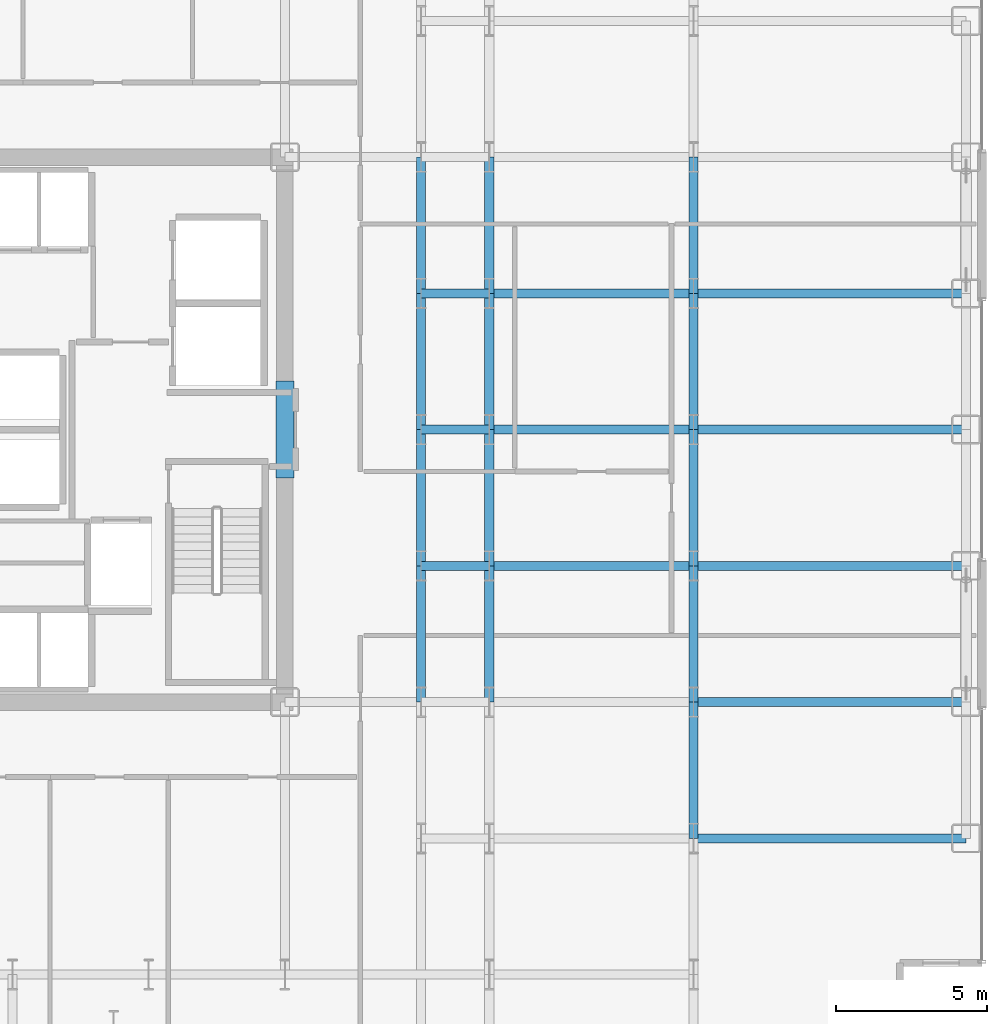
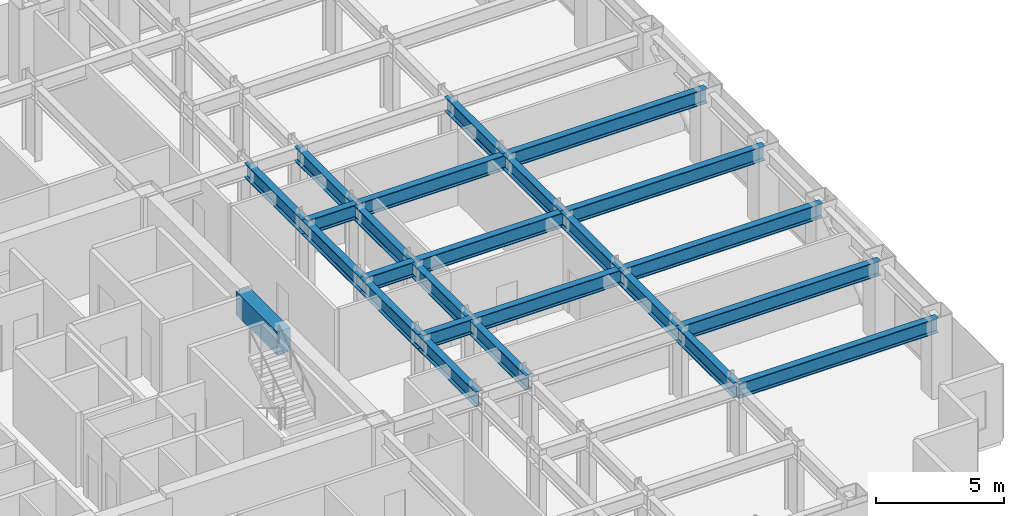
# One storey, part 10 of 29: 25 beams.
"""IFC4 building model written with IfcOpenShell, lengths in metres."""

import ifcopenshell
import ifcopenshell.guid

model = None  # the IFC model being written
_history = None  # IfcOwnerHistory: only IFC2X3 demands one
_inside = {}  # id of a spatial element -> (the spatial element, [elements in it])
_under = {}  # id of a project, library or spatial element -> (it, [spatial elements below it])
_declared = {}  # id of a project -> (the project, [libraries it declares])
_typed = {}  # id of a type object -> (the type object, [elements of that type])
_made_of = {}  # id of a material, layer set ... -> (it, [elements and type objects made of it])


def new_model(schema):
    """Start an empty IFC model of exactly this schema.

    Asked for "IFC4X3", IfcOpenShell would pick the latest addendum, in which some entities
    have other attributes; the version numbers below select the first issue.
    IFC2X3 requires an IfcOwnerHistory on every rooted entity: one is made here for all.
    """
    global model, _history
    if schema == "IFC4X3":
        model = ifcopenshell.file(schema_version=(4, 3, 0, 0))
    else:
        model = ifcopenshell.file(schema=schema)
    _inside.clear()
    _under.clear()
    _declared.clear()
    _typed.clear()
    _made_of.clear()
    _history = None
    if model.schema == "IFC2X3":
        org = make("IfcOrganization", Name="unknown")
        user = make(
            "IfcPersonAndOrganization",
            ThePerson=make("IfcPerson", FamilyName="unknown"),
            TheOrganization=org,
        )
        app = make(
            "IfcApplication",
            ApplicationDeveloper=org,
            Version="unknown",
            ApplicationFullName="unknown",
            ApplicationIdentifier="unknown",
        )
        _history = make(
            "IfcOwnerHistory",
            OwningUser=user,
            OwningApplication=app,
            ChangeAction="ADDED",
            CreationDate=0,
        )
    return model


def make(cls, **values):
    """One entity of the class cls with the attributes given. An attribute that is None is left unset."""
    return model.create_entity(
        cls, **{name: value for name, value in values.items() if value is not None}
    )


def rooted(cls, **values):
    """An entity with a GlobalId (a new one), such as an element, a storey or a relation."""
    return make(cls, GlobalId=ifcopenshell.guid.new(), OwnerHistory=_history, **values)


def si_unit(unit_type, name, prefix=None):
    """IfcSIUnit, for example si_unit("LENGTHUNIT", "METRE", prefix="MILLI")."""
    return make("IfcSIUnit", UnitType=unit_type, Prefix=prefix, Name=name)


def assignment(units):
    """IfcUnitAssignment: the units of a project."""
    return None if units is None else make("IfcUnitAssignment", Units=units)


def point(xyz):
    """IfcCartesianPoint."""
    return None if xyz is None else make("IfcCartesianPoint", Coordinates=xyz)


def direction(xyz):
    """IfcDirection."""
    return None if xyz is None else make("IfcDirection", DirectionRatios=xyz)


def frame(location, z_axis=None, x_axis=None):
    """IfcAxis2Placement3D, a coordinate frame: its origin and axes. An axis left out is left unset."""
    return make(
        "IfcAxis2Placement3D",
        Location=point(location),
        Axis=direction(z_axis),
        RefDirection=direction(x_axis),
    )


def frame_2d(location, x_axis=None):
    """IfcAxis2Placement2D, a coordinate frame in the plane: its origin and x axis."""
    return make(
        "IfcAxis2Placement2D", Location=point(location), RefDirection=direction(x_axis)
    )


def origin():
    """The frame at (0, 0, 0) with its axes left unset."""
    return frame((0.0, 0.0, 0.0))


def origin_2d():
    """The frame at (0, 0) in the plane with its x axis left unset."""
    return frame_2d((0.0, 0.0))


def place(relative_to, where):
    """IfcLocalPlacement: puts the frame where relative to a parent placement (None: the world)."""
    return make(
        "IfcLocalPlacement", PlacementRelTo=relative_to, RelativePlacement=where
    )


def context(
    kind, dimensions, precision=None, world=None, true_north=None, identifier=None
):
    """IfcGeometricRepresentationContext, for example the 3D "Model" context."""
    return make(
        "IfcGeometricRepresentationContext",
        ContextIdentifier=identifier,
        ContextType=kind,
        CoordinateSpaceDimension=dimensions,
        Precision=precision,
        WorldCoordinateSystem=world,
        TrueNorth=true_north,
    )


def subcontext(parent, identifier, kind, view, scale=None):
    """IfcGeometricRepresentationSubContext, for example "Body" below "Model"."""
    return make(
        "IfcGeometricRepresentationSubContext",
        ContextIdentifier=identifier,
        ContextType=kind,
        ParentContext=parent,
        TargetScale=scale,
        TargetView=view,
    )


def project(units=None, contexts=None):
    """IfcProject with its units and contexts."""
    return rooted(
        "IfcProject",
        Name="project",
        RepresentationContexts=contexts,
        UnitsInContext=assignment(units),
    )


def spatial(cls, under=None, at=None, **own):
    """A site, building, storey or space (cls), placed at a placement, below another one or the project."""
    s = rooted(cls, ObjectPlacement=at, **own)
    if under is not None:
        _under.setdefault(under.id(), (under, []))[1].append(s)
    return s


def profile(cls, at=None, kind="AREA", **sizes):
    """A parametric profile (cls). Its sizes go by their IFC names, for example OverallWidth=200.0."""
    return make(cls, ProfileType=kind, Position=at, **sizes)


def rectangle(**sizes):
    """IfcRectangleProfileDef."""
    return profile("IfcRectangleProfileDef", **sizes)


def i_section(**sizes):
    """IfcIShapeProfileDef."""
    return profile("IfcIShapeProfileDef", **sizes)


def extrude(swept, where, along, depth):
    """IfcExtrudedAreaSolid: the profile swept, set in the frame where, extruded along a direction by depth."""
    return make(
        "IfcExtrudedAreaSolid",
        SweptArea=swept,
        Position=where,
        ExtrudedDirection=direction(along),
        Depth=depth,
    )


def shape(context_of_items, identifier, shape_type, items):
    """IfcShapeRepresentation: the items that make up one representation, for example the "Body"."""
    return make(
        "IfcShapeRepresentation",
        ContextOfItems=context_of_items,
        RepresentationIdentifier=identifier,
        RepresentationType=shape_type,
        Items=items,
    )


def source(mapping_origin, context_of_items, identifier, shape_type, items):
    """IfcRepresentationMap: a shape defined once, which mapped items show again and again."""
    return make(
        "IfcRepresentationMap",
        MappingOrigin=mapping_origin,
        MappedRepresentation=shape(context_of_items, identifier, shape_type, items),
    )


def transform(
    local_origin,
    x_axis=None,
    y_axis=None,
    z_axis=None,
    scale=None,
    scale2=None,
    scale3=None,
    uniform=True,
):
    """IfcCartesianTransformationOperator3D, or its non-uniform kind. x_axis, y_axis, z_axis: its Axis1, 2, 3."""
    if uniform:
        return make(
            "IfcCartesianTransformationOperator3D",
            Axis1=direction(x_axis),
            Axis2=direction(y_axis),
            LocalOrigin=point(local_origin),
            Scale=scale,
            Axis3=direction(z_axis),
        )
    return make(
        "IfcCartesianTransformationOperator3DnonUniform",
        Axis1=direction(x_axis),
        Axis2=direction(y_axis),
        LocalOrigin=point(local_origin),
        Scale=scale,
        Axis3=direction(z_axis),
        Scale2=scale2,
        Scale3=scale3,
    )


def mapped(mapping_source, mapping_target):
    """IfcMappedItem: shows the shape of a source again, moved by a transform."""
    return make(
        "IfcMappedItem", MappingSource=mapping_source, MappingTarget=mapping_target
    )


def material(Name=None, Category=None):
    """IfcMaterial."""
    return make("IfcMaterial", Name=Name, Category=Category)


def material_profile(
    of_material, cross_section, Name=None, Category=None, Priority=None
):
    """IfcMaterialProfile: a cross section and its material."""
    return make(
        "IfcMaterialProfile",
        Name=Name,
        Material=of_material,
        Profile=cross_section,
        Priority=Priority,
        Category=Category,
    )


def profile_set(profiles, Name=None, composite=None):
    """IfcMaterialProfileSet."""
    return make(
        "IfcMaterialProfileSet",
        Name=Name,
        MaterialProfiles=profiles,
        CompositeProfile=composite,
    )


def made_of(thing, what):
    """Note that an element or type object is made of a material, layer set ...; save() writes the relation."""
    if what is not None:
        _made_of.setdefault(what.id(), (what, []))[1].append(thing)
    return thing


def type_object(cls, material=None, **own):
    """A type object (cls), such as IfcWallType, which elements share."""
    return made_of(rooted(cls, **own), material)


def element(
    cls,
    number,
    at=None,
    inside=None,
    cuts=None,
    type_object=None,
    material=None,
    context=None,
    identifier="Body",
    shape_type=None,
    held_by="IfcProductDefinitionShape",
    body=None,
    shapes=None,
    **own,
):
    """One element of the class cls, such as IfcWall. Its Tag is "e" and its number.

    at: its placement. inside: the storey or other place that contains it. cuts: it is an
    opening in that element (IfcRelVoidsElement). A single representation is given by context,
    identifier, shape_type and body (its items); several are given by shapes. held_by: the class
    of the entity that holds the representations. save() writes the other relations.
    """
    e = rooted(cls, Tag="e%d" % number, ObjectPlacement=at, **own)
    if body is not None:
        shapes = [shape(context, identifier, shape_type, body)]
    if shapes is not None:
        e.Representation = make(held_by, Representations=shapes)
    if inside is not None:
        _inside.setdefault(inside.id(), (inside, []))[1].append(e)
    if cuts is not None:
        rooted(
            "IfcRelVoidsElement", RelatingBuildingElement=cuts, RelatedOpeningElement=e
        )
    if type_object is not None:
        _typed.setdefault(type_object.id(), (type_object, []))[1].append(e)
    return made_of(e, material)


def aggregate(whole, parts):
    """IfcRelAggregates: a whole, such as a stair, and the parts it consists of."""
    return rooted("IfcRelAggregates", RelatingObject=whole, RelatedObjects=parts)


def save(model, path):
    """Write the relations noted so far, then the file.

    IfcRelAggregates (storeys below a building ...), IfcRelContainedInSpatialStructure (elements
    in a storey), IfcRelDefinesByType, IfcRelAssociatesMaterial and IfcRelDeclares: one each for
    every whole, place, type object, material and project.
    """
    for whole, parts in _under.values():
        aggregate(whole, parts)
    for where, things in _inside.values():
        rooted(
            "IfcRelContainedInSpatialStructure",
            RelatedElements=things,
            RelatingStructure=where,
        )
    for kind, things in _typed.values():
        rooted("IfcRelDefinesByType", RelatedObjects=things, RelatingType=kind)
    for what, things in _made_of.values():
        rooted("IfcRelAssociatesMaterial", RelatedObjects=things, RelatingMaterial=what)
    for by, libraries in _declared.values():
        rooted("IfcRelDeclares", RelatingContext=by, RelatedDefinitions=libraries)
    model.write(path)


model = new_model("IFC4")

# Units and contexts
model_context = context("Model", 3, precision=1e-05, world=origin(), true_north=direction((0.0, 1.0)))
body_context = subcontext(model_context, "Body", "Model", "MODEL_VIEW")
ifc_project = project(units=[si_unit("LENGTHUNIT", "METRE"), si_unit("AREAUNIT", "SQUARE_METRE"), si_unit("VOLUMEUNIT", "CUBIC_METRE"), si_unit("PLANEANGLEUNIT", "RADIAN"), si_unit("MASSUNIT", "GRAM", prefix="KILO")], contexts=[model_context])

# Site, building, storey
site_placement = place(None, origin())
site = spatial("IfcSite", under=ifc_project, at=site_placement, CompositionType="ELEMENT")
building_placement = place(site_placement, origin())
building = spatial("IfcBuilding", under=site, at=building_placement, Name="Nefas-Gora Pilgrimage Tower", CompositionType="ELEMENT")
storey_placement = place(building_placement, frame((0.0, 0.0, 90.800048828125)))
storey = spatial("IfcBuildingStorey", under=building, at=storey_placement, Name="L21", CompositionType="ELEMENT", Elevation=90.800048828125)

# Beams
ifc_material_1 = material(Name="Concrete C60/75", Category="concrete")
ifc_material_profile_1 = material_profile(ifc_material_1, rectangle(XDim=0.60009765625, YDim=1.10009765625, at=origin_2d()), Name="RC 600x1100")
ifc_profile_set_1 = profile_set([ifc_material_profile_1], Name="Concrete C60/75")
beam_type_1 = type_object("IfcBeamType", Name="BM-LIN-RC1100", PredefinedType="LINTEL", material=ifc_profile_set_1)
shared_shape_1 = source(origin(), body_context, "Body", "SweptSolid", [
    extrude(rectangle(XDim=0.60009765625, YDim=1.10009765625, at=origin_2d()), origin(), (0.0, 0.0, 1.0), 3.2001953125),
])
beam_placement = place(storey_placement, frame((11.25, -1.60009765625, 3.0), z_axis=(0.0, 1.0, 0.0), x_axis=(-1.0, 0.0, 0.0)))
element("IfcBeam", 1, at=beam_placement, inside=storey, type_object=beam_type_1, Name="L21 Core Coupling Lintel Beam E", PredefinedType="LINTEL", context=body_context, shape_type="MappedRepresentation", body=[
    mapped(shared_shape_1, transform((0.0, 0.0, 0.0), x_axis=(1.0, 0.0, 0.0), y_axis=(0.0, 1.0, 0.0), z_axis=(0.0, 0.0, 1.0), scale=1.0)),
])
ifc_material_2 = material(Name="Steel S355", Category="steel")
ifc_material_profile_2 = material_profile(ifc_material_2, i_section(OverallWidth=0.300048828125, OverallDepth=0.699951171875, WebThickness=0.01708984375, FlangeThickness=0.031982421875, FilletRadius=0.027099609375, at=origin_2d()), Name="HEB 700")
ifc_profile_set_2 = profile_set([ifc_material_profile_2], Name="Steel S355")
beam_type_2 = type_object("IfcBeamType", Name="BM-GIR-HEB700", PredefinedType="BEAM", material=ifc_profile_set_2)
shared_shape_2 = source(origin(), body_context, "Body", "SweptSolid", [
    extrude(i_section(OverallWidth=0.300048828125, OverallDepth=0.699951171875, WebThickness=0.01708984375, FlangeThickness=0.031982421875, FilletRadius=0.027099609375, at=origin_2d()), origin(), (0.0, 0.0, 1.0), 9.0),
])
for number, where, z_axis, x_axis, name in (
    (2, (24.75, -13.5, 3.199951171875), (1.0, 0.0, 0.0), (0.0, 1.0, 0.0), "L21 G-02 beam"),
    (3, (24.75, -9.0, 3.199951171875), (1.0, 0.0, 0.0), (0.0, 1.0, 0.0), "L21 G-02 beam"),
    (4, (24.75, -4.5, 3.199951171875), (1.0, 0.0, 0.0), (0.0, 1.0, 0.0), "L21 G-02 beam"),
    (5, (24.75, 0.0, 3.199951171875), (1.0, 0.0, 0.0), (0.0, 1.0, 0.0), "L21 G-02 beam"),
    (6, (24.75, 4.5, 3.199951171875), (1.0, 0.0, 0.0), (0.0, 1.0, 0.0), "L21 G-02 beam"),
):
    element("IfcBeam", number, at=place(storey_placement, frame(where, z_axis=z_axis, x_axis=x_axis)), inside=storey, type_object=beam_type_2, Name=name, PredefinedType="BEAM", context=body_context, shape_type="MappedRepresentation", body=[
        mapped(shared_shape_2, transform((0.0, 0.0, 0.0), x_axis=(1.0, 0.0, 0.0), y_axis=(0.0, 1.0, 0.0), z_axis=(0.0, 0.0, 1.0), scale=1.0)),
    ])
shared_shape_3 = source(origin(), body_context, "Body", "SweptSolid", [
    extrude(i_section(OverallWidth=0.300048828125, OverallDepth=0.699951171875, WebThickness=0.01708984375, FlangeThickness=0.031982421875, FilletRadius=0.027099609375, at=origin_2d()), origin(), (0.0, 0.0, 1.0), 4.5),
])
for number, where, z_axis, x_axis, name in (
    (7, (15.75, -9.0, 3.199951171875), (0.0, 1.0, 0.0), (-1.0, 0.0, 0.0), "L21 G-02 beam"),
    (8, (15.75, -4.5, 3.199951171875), (0.0, 1.0, 0.0), (-1.0, 0.0, 0.0), "L21 G-02 beam"),
    (9, (15.75, 0.0, 3.199951171875), (0.0, 1.0, 0.0), (-1.0, 0.0, 0.0), "L21 G-02 beam"),
    (10, (15.75, 4.5, 3.199951171875), (0.0, 1.0, 0.0), (-1.0, 0.0, 0.0), "L21 G-02 beam"),
    (11, (18.0, -9.0, 3.199951171875), (0.0, 1.0, 0.0), (-1.0, 0.0, 0.0), "L21 G-02 beam"),
    (12, (18.0, -4.5, 3.199951171875), (0.0, 1.0, 0.0), (-1.0, 0.0, 0.0), "L21 G-02 beam"),
    (13, (18.0, 0.0, 3.199951171875), (0.0, 1.0, 0.0), (-1.0, 0.0, 0.0), "L21 G-02 beam"),
    (14, (18.0, 4.5, 3.199951171875), (0.0, 1.0, 0.0), (-1.0, 0.0, 0.0), "L21 G-02 beam"),
    (15, (24.75, -13.5, 3.199951171875), (0.0, 1.0, 0.0), (-1.0, 0.0, 0.0), "L21 G-02 beam"),
    (16, (24.75, -9.0, 3.199951171875), (0.0, 1.0, 0.0), (-1.0, 0.0, 0.0), "L21 G-02 beam"),
    (17, (24.75, -4.5, 3.199951171875), (0.0, 1.0, 0.0), (-1.0, 0.0, 0.0), "L21 G-02 beam"),
    (18, (24.75, 0.0, 3.199951171875), (0.0, 1.0, 0.0), (-1.0, 0.0, 0.0), "L21 G-02 beam"),
    (19, (24.75, 4.5, 3.199951171875), (0.0, 1.0, 0.0), (-1.0, 0.0, 0.0), "L21 G-02 beam"),
):
    element("IfcBeam", number, at=place(storey_placement, frame(where, z_axis=z_axis, x_axis=x_axis)), inside=storey, type_object=beam_type_2, Name=name, PredefinedType="BEAM", context=body_context, shape_type="MappedRepresentation", body=[
        mapped(shared_shape_3, transform((0.0, 0.0, 0.0), x_axis=(1.0, 0.0, 0.0), y_axis=(0.0, 1.0, 0.0), z_axis=(0.0, 0.0, 1.0), scale=1.0)),
    ])
shared_shape_4 = source(origin(), body_context, "Body", "SweptSolid", [
    extrude(i_section(OverallWidth=0.300048828125, OverallDepth=0.699951171875, WebThickness=0.01708984375, FlangeThickness=0.031982421875, FilletRadius=0.027099609375, at=origin_2d()), origin(), (0.0, 0.0, 1.0), 6.75),
])
for number, where, z_axis, x_axis, name in (
    (20, (18.0, -4.5, 3.199951171875), (1.0, 0.0, 0.0), (0.0, 1.0, 0.0), "L21 G-02 beam"),
    (21, (18.0, 0.0, 3.199951171875), (1.0, 0.0, 0.0), (0.0, 1.0, 0.0), "L21 G-02 beam"),
    (22, (18.0, 4.5, 3.199951171875), (1.0, 0.0, 0.0), (0.0, 1.0, 0.0), "L21 G-02 beam"),
):
    element("IfcBeam", number, at=place(storey_placement, frame(where, z_axis=z_axis, x_axis=x_axis)), inside=storey, type_object=beam_type_2, Name=name, PredefinedType="BEAM", context=body_context, shape_type="MappedRepresentation", body=[
        mapped(shared_shape_4, transform((0.0, 0.0, 0.0), x_axis=(1.0, 0.0, 0.0), y_axis=(0.0, 1.0, 0.0), z_axis=(0.0, 0.0, 1.0), scale=1.0)),
    ])
shared_shape_5 = source(origin(), body_context, "Body", "SweptSolid", [
    extrude(i_section(OverallWidth=0.300048828125, OverallDepth=0.699951171875, WebThickness=0.01708984375, FlangeThickness=0.031982421875, FilletRadius=0.027099609375, at=origin_2d()), origin(), (0.0, 0.0, 1.0), 2.25),
])
for number, where, z_axis, x_axis, name in (
    (23, (15.75, -4.5, 3.199951171875), (1.0, 0.0, 0.0), (0.0, 1.0, 0.0), "L21 G-02 beam"),
    (24, (15.75, 0.0, 3.199951171875), (1.0, 0.0, 0.0), (0.0, 1.0, 0.0), "L21 G-02 beam"),
    (25, (15.75, 4.5, 3.199951171875), (1.0, 0.0, 0.0), (0.0, 1.0, 0.0), "L21 G-02 beam"),
):
    element("IfcBeam", number, at=place(storey_placement, frame(where, z_axis=z_axis, x_axis=x_axis)), inside=storey, type_object=beam_type_2, Name=name, PredefinedType="BEAM", context=body_context, shape_type="MappedRepresentation", body=[
        mapped(shared_shape_5, transform((0.0, 0.0, 0.0), x_axis=(1.0, 0.0, 0.0), y_axis=(0.0, 1.0, 0.0), z_axis=(0.0, 0.0, 1.0), scale=1.0)),
    ])

save(model, "model.ifc")
